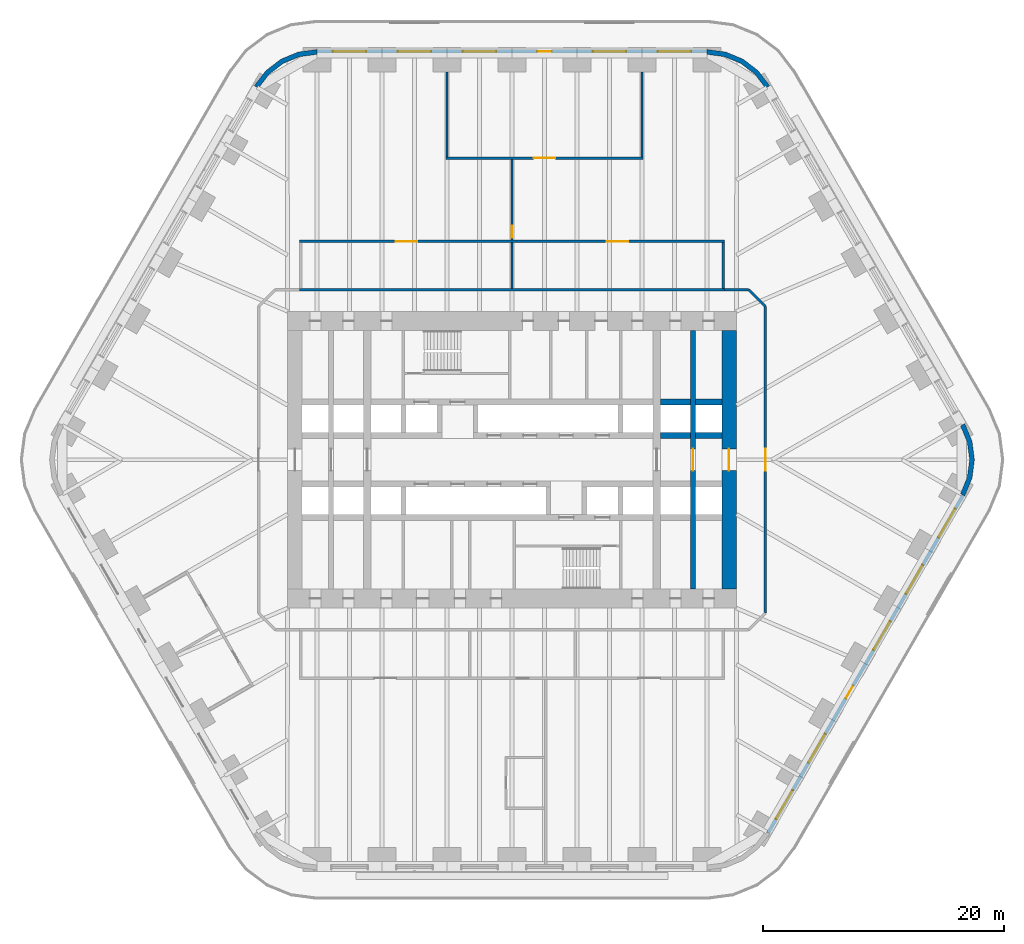
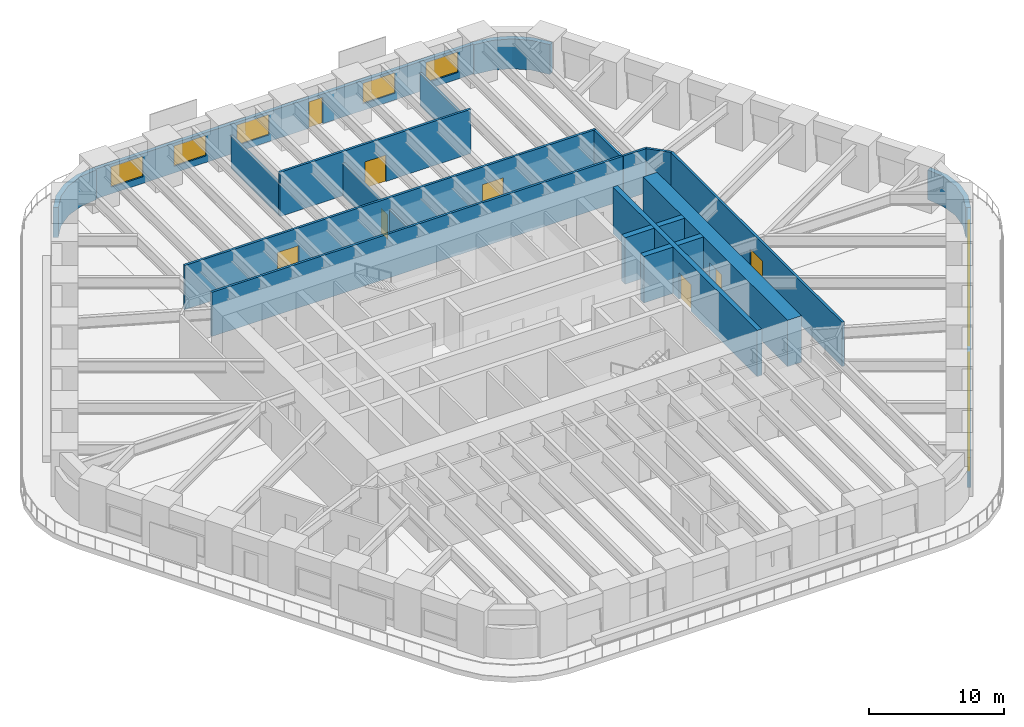
# One storey, part 19 of 23: 22 walls, 10 windows, 9 doors, 19 openings.
"""IFC4 building model written with IfcOpenShell, lengths in metres."""

from ifc_helpers import new_model, si_unit, direction, frame, frame_2d, origin, place, context, subcontext, project, spatial, polyline, rectangle, outline, extrude, material, layer, layer_set, type_object, element, fill, save


model = new_model("IFC4")

# Units and contexts
model_context = context("Model", 3, precision=1e-05, world=origin(), true_north=direction((0.0, 1.0)))
body_context = subcontext(model_context, "Body", "Model", "MODEL_VIEW")
ifc_project = project(units=[si_unit("LENGTHUNIT", "METRE"), si_unit("AREAUNIT", "SQUARE_METRE"), si_unit("VOLUMEUNIT", "CUBIC_METRE"), si_unit("PLANEANGLEUNIT", "RADIAN"), si_unit("MASSUNIT", "GRAM", prefix="KILO")], contexts=[model_context])

# Site, building, storey
site_placement = place(None, origin())
site = spatial("IfcSite", under=ifc_project, at=site_placement, CompositionType="ELEMENT")
building_placement = place(site_placement, origin())
building = spatial("IfcBuilding", under=site, at=building_placement, Name="Tarfa Lantern Tower", CompositionType="ELEMENT")
storey_placement = place(building_placement, frame((0.0, 0.0, 31.89990234375)))
storey = spatial("IfcBuildingStorey", under=building, at=storey_placement, Name="L06", CompositionType="ELEMENT", Elevation=31.89990234375)

# Wall, openings, door, windows
ifc_material_1 = material(Name="Limestone cladding on blockwork", Category="masonry")
ifc_layer_1 = layer(ifc_material_1, 0.300048828125)
ifc_layer_set_1 = layer_set([ifc_layer_1], Name="EW1 STONE-CLAD WALL 300")
wall_type_1 = type_object("IfcWallType", Name="EW1 STONE-CLAD WALL 300", PredefinedType="SOLIDWALL", material=ifc_layer_set_1)
wall_1_placement = place(storey_placement, frame((16.165771484375, 33.85009765625, 0.0), z_axis=(0.0, 0.0, 1.0), x_axis=(-1.0, 0.0, 0.0)))
wall_1 = element("IfcWall", 1, at=wall_1_placement, inside=storey, type_object=wall_type_1, Name="Stone wall N", PredefinedType="SOLIDWALL", context=body_context, shape_type="SweptSolid", body=[
    extrude(rectangle(XDim=32.33154296875, YDim=0.300048828125, at=frame_2d((16.165771484375, 0.0))), origin(), (0.0, 0.0, 1.0), 2.7001953125),
])
opening_1_placement = place(wall_1_placement, frame((1.3193359375, 0.0, 0.60009765625)))
opening_1 = element("IfcOpeningElement", 2, at=opening_1_placement, cuts=wall_1, Name="Opening W2", PredefinedType="OPENING", context=body_context, shape_type="SweptSolid", body=[
    extrude(rectangle(XDim=2.75, YDim=1.85009765625, at=frame_2d((1.375, 0.925048828125))), frame((0.0, 0.159912109375, 0.0), z_axis=(0.0, -1.0, 0.0), x_axis=(1.0, 0.0, 0.0)), (0.0, 0.0, 1.0), 0.320068359375),
])
opening_2_placement = place(wall_1_placement, frame((6.7080078125, 0.0, 0.60009765625)))
opening_2 = element("IfcOpeningElement", 3, at=opening_2_placement, cuts=wall_1, Name="Opening W2", PredefinedType="OPENING", context=body_context, shape_type="SweptSolid", body=[
    extrude(rectangle(XDim=2.75, YDim=1.85009765625, at=frame_2d((1.375, 0.925048828125))), frame((0.0, 0.159912109375, 0.0), z_axis=(0.0, -1.0, 0.0), x_axis=(1.0, 0.0, 0.0)), (0.0, 0.0, 1.0), 0.320068359375),
])
opening_3_placement = place(wall_1_placement, frame((12.87158203125, 0.0, 0.0)))
opening_3 = element("IfcOpeningElement", 4, at=opening_3_placement, cuts=wall_1, Name="Opening D41", PredefinedType="OPENING", context=body_context, shape_type="SweptSolid", body=[
    extrude(rectangle(XDim=1.199951171875, YDim=2.39990234375, at=frame_2d((0.60009765625, 1.199951171875))), frame((0.0, 0.159912109375, 0.0), z_axis=(0.0, -1.0, 0.0), x_axis=(1.0, 0.0, 0.0)), (0.0, 0.0, 1.0), 0.320068359375),
])
opening_4_placement = place(wall_1_placement, frame((17.485107421875, 0.0, 0.60009765625)))
opening_4 = element("IfcOpeningElement", 5, at=opening_4_placement, cuts=wall_1, Name="Opening W2", PredefinedType="OPENING", context=body_context, shape_type="SweptSolid", body=[
    extrude(rectangle(XDim=2.75, YDim=1.85009765625, at=frame_2d((1.375, 0.925048828125))), frame((0.0, 0.159912109375, 0.0), z_axis=(0.0, -1.0, 0.0), x_axis=(1.0, 0.0, 0.0)), (0.0, 0.0, 1.0), 0.320068359375),
])
opening_5_placement = place(wall_1_placement, frame((22.873779296875, 0.0, 0.60009765625)))
opening_5 = element("IfcOpeningElement", 6, at=opening_5_placement, cuts=wall_1, Name="Opening W2", PredefinedType="OPENING", context=body_context, shape_type="SweptSolid", body=[
    extrude(rectangle(XDim=2.75, YDim=1.85009765625, at=frame_2d((1.375, 0.925048828125))), frame((0.0, 0.159912109375, 0.0), z_axis=(0.0, -1.0, 0.0), x_axis=(1.0, 0.0, 0.0)), (0.0, 0.0, 1.0), 0.320068359375),
])
opening_6_placement = place(wall_1_placement, frame((28.26220703125, 0.0, 0.60009765625)))
opening_6 = element("IfcOpeningElement", 7, at=opening_6_placement, cuts=wall_1, Name="Opening W2", PredefinedType="OPENING", context=body_context, shape_type="SweptSolid", body=[
    extrude(rectangle(XDim=2.75, YDim=1.85009765625, at=frame_2d((1.375, 0.925048828125))), frame((0.0, 0.159912109375, 0.0), z_axis=(0.0, -1.0, 0.0), x_axis=(1.0, 0.0, 0.0)), (0.0, 0.0, 1.0), 0.320068359375),
])
ifc_material_2 = material(Name="Aluminium framed glazed door", Category="aluminium")
door_type_1 = type_object("IfcDoorType", Name="BE3 BALCONY DOOR 1200x2400", OperationType="SINGLE_SWING_RIGHT", PredefinedType="DOOR", material=ifc_material_2)
door_1_placement = place(opening_3_placement, origin())
door_1 = element("IfcDoor", 8, at=door_1_placement, inside=storey, type_object=door_type_1, Name="Balcony door N", OperationType="SINGLE_SWING_RIGHT", OverallHeight=2.39990234375, OverallWidth=1.199951171875, PredefinedType="DOOR", context=body_context, shape_type="SweptSolid", body=[
    extrude(rectangle(XDim=1.199951171875, YDim=2.39990234375, at=frame_2d((0.60009765625, 1.199951171875))), frame((0.0, 0.02490234375, 0.0), z_axis=(0.0, -1.0, 0.0), x_axis=(1.0, 0.0, 0.0)), (0.0, 0.0, 1.0), 0.050048828125),
])
fill(opening_3, door_1)
ifc_material_3 = material(Name="Aluminium frame, double glazed", Category="aluminium")
window_type = type_object("IfcWindowType", Name="W2 FULL-HEIGHT GLAZING 2750x1850", PartitioningType="SINGLE_PANEL", PredefinedType="WINDOW", material=ifc_material_3)
window_1_placement = place(opening_1_placement, origin())
window_1 = element("IfcWindow", 9, at=window_1_placement, inside=storey, type_object=window_type, Name="Window N 1", OverallHeight=1.85009765625, OverallWidth=2.75, PartitioningType="SINGLE_PANEL", PredefinedType="WINDOW", context=body_context, shape_type="SweptSolid", body=[
    extrude(rectangle(XDim=2.75, YDim=1.85009765625, at=frame_2d((1.375, 0.925048828125))), frame((0.0, 0.030029296875, 0.0), z_axis=(0.0, -1.0, 0.0), x_axis=(1.0, 0.0, 0.0)), (0.0, 0.0, 1.0), 0.06005859375),
])
fill(opening_1, window_1)
window_2_placement = place(opening_2_placement, origin())
window_2 = element("IfcWindow", 10, at=window_2_placement, inside=storey, type_object=window_type, Name="Window N 2", OverallHeight=1.85009765625, OverallWidth=2.75, PartitioningType="SINGLE_PANEL", PredefinedType="WINDOW", context=body_context, shape_type="SweptSolid", body=[
    extrude(rectangle(XDim=2.75, YDim=1.85009765625, at=frame_2d((1.375, 0.925048828125))), frame((0.0, 0.030029296875, 0.0), z_axis=(0.0, -1.0, 0.0), x_axis=(1.0, 0.0, 0.0)), (0.0, 0.0, 1.0), 0.06005859375),
])
fill(opening_2, window_2)
window_3_placement = place(opening_4_placement, origin())
window_3 = element("IfcWindow", 11, at=window_3_placement, inside=storey, type_object=window_type, Name="Window N 4", OverallHeight=1.85009765625, OverallWidth=2.75, PartitioningType="SINGLE_PANEL", PredefinedType="WINDOW", context=body_context, shape_type="SweptSolid", body=[
    extrude(rectangle(XDim=2.75, YDim=1.85009765625, at=frame_2d((1.375, 0.925048828125))), frame((0.0, 0.030029296875, 0.0), z_axis=(0.0, -1.0, 0.0), x_axis=(1.0, 0.0, 0.0)), (0.0, 0.0, 1.0), 0.06005859375),
])
fill(opening_4, window_3)
window_4_placement = place(opening_5_placement, origin())
window_4 = element("IfcWindow", 12, at=window_4_placement, inside=storey, type_object=window_type, Name="Window N 5", OverallHeight=1.85009765625, OverallWidth=2.75, PartitioningType="SINGLE_PANEL", PredefinedType="WINDOW", context=body_context, shape_type="SweptSolid", body=[
    extrude(rectangle(XDim=2.75, YDim=1.85009765625, at=frame_2d((1.375, 0.925048828125))), frame((0.0, 0.030029296875, 0.0), z_axis=(0.0, -1.0, 0.0), x_axis=(1.0, 0.0, 0.0)), (0.0, 0.0, 1.0), 0.06005859375),
])
fill(opening_5, window_4)
window_5_placement = place(opening_6_placement, origin())
window_5 = element("IfcWindow", 13, at=window_5_placement, inside=storey, type_object=window_type, Name="Window N 6", OverallHeight=1.85009765625, OverallWidth=2.75, PartitioningType="SINGLE_PANEL", PredefinedType="WINDOW", context=body_context, shape_type="SweptSolid", body=[
    extrude(rectangle(XDim=2.75, YDim=1.85009765625, at=frame_2d((1.375, 0.925048828125))), frame((0.0, 0.030029296875, 0.0), z_axis=(0.0, -1.0, 0.0), x_axis=(1.0, 0.0, 0.0)), (0.0, 0.0, 1.0), 0.06005859375),
])
fill(opening_6, window_5)

wall_2_placement = place(storey_placement, frame((21.232177734375, -30.925048828125, 0.0), z_axis=(0.0, 0.0, 1.0), x_axis=(0.499999163675, 0.866025886636, 0.0)))
wall_2 = element("IfcWall", 14, at=wall_2_placement, inside=storey, type_object=wall_type_1, Name="Stone wall SE", PredefinedType="SOLIDWALL", context=body_context, shape_type="SweptSolid", body=[
    extrude(rectangle(XDim=32.33154296875, YDim=0.300048828125, at=frame_2d((16.165771484375, 0.0))), origin(), (0.0, 0.0, 1.0), 2.7001953125),
])
opening_7_placement = place(wall_2_placement, frame((1.3193359375, 0.0, 0.60009765625)))
opening_7 = element("IfcOpeningElement", 15, at=opening_7_placement, cuts=wall_2, Name="Opening W2", PredefinedType="OPENING", context=body_context, shape_type="SweptSolid", body=[
    extrude(rectangle(XDim=2.75, YDim=1.85009765625, at=frame_2d((1.375, 0.925048828125))), frame((0.0, 0.159912109375, 0.0), z_axis=(0.0, -1.0, 0.0), x_axis=(1.0, 0.0, 0.0)), (0.0, 0.0, 1.0), 0.320068359375),
])
opening_8_placement = place(wall_2_placement, frame((6.7080078125, 0.0, 0.60009765625)))
opening_8 = element("IfcOpeningElement", 16, at=opening_8_placement, cuts=wall_2, Name="Opening W2", PredefinedType="OPENING", context=body_context, shape_type="SweptSolid", body=[
    extrude(rectangle(XDim=2.75, YDim=1.85009765625, at=frame_2d((1.375, 0.925048828125))), frame((0.0, 0.159912109375, 0.0), z_axis=(0.0, -1.0, 0.0), x_axis=(1.0, 0.0, 0.0)), (0.0, 0.0, 1.0), 0.320068359375),
])
opening_9_placement = place(wall_2_placement, frame((12.87158203125, 0.0, 0.0)))
opening_9 = element("IfcOpeningElement", 17, at=opening_9_placement, cuts=wall_2, Name="Opening D42", PredefinedType="OPENING", context=body_context, shape_type="SweptSolid", body=[
    extrude(rectangle(XDim=1.199951171875, YDim=2.39990234375, at=frame_2d((0.60009765625, 1.199951171875))), frame((0.0, 0.159912109375, 0.0), z_axis=(0.0, -1.0, 0.0), x_axis=(1.0, 0.0, 0.0)), (0.0, 0.0, 1.0), 0.320068359375),
])
opening_10_placement = place(wall_2_placement, frame((17.485107421875, 0.0, 0.60009765625)))
opening_10 = element("IfcOpeningElement", 18, at=opening_10_placement, cuts=wall_2, Name="Opening W2", PredefinedType="OPENING", context=body_context, shape_type="SweptSolid", body=[
    extrude(rectangle(XDim=2.75, YDim=1.85009765625, at=frame_2d((1.375, 0.925048828125))), frame((0.0, 0.159912109375, 0.0), z_axis=(0.0, -1.0, 0.0), x_axis=(1.0, 0.0, 0.0)), (0.0, 0.0, 1.0), 0.320068359375),
])
opening_11_placement = place(wall_2_placement, frame((22.873779296875, 0.0, 0.60009765625)))
opening_11 = element("IfcOpeningElement", 19, at=opening_11_placement, cuts=wall_2, Name="Opening W2", PredefinedType="OPENING", context=body_context, shape_type="SweptSolid", body=[
    extrude(rectangle(XDim=2.75, YDim=1.85009765625, at=frame_2d((1.375, 0.925048828125))), frame((0.0, 0.159912109375, 0.0), z_axis=(0.0, -1.0, 0.0), x_axis=(1.0, 0.0, 0.0)), (0.0, 0.0, 1.0), 0.320068359375),
])
opening_12_placement = place(wall_2_placement, frame((28.26220703125, 0.0, 0.60009765625)))
opening_12 = element("IfcOpeningElement", 20, at=opening_12_placement, cuts=wall_2, Name="Opening W2", PredefinedType="OPENING", context=body_context, shape_type="SweptSolid", body=[
    extrude(rectangle(XDim=2.75, YDim=1.85009765625, at=frame_2d((1.375, 0.925048828125))), frame((0.0, 0.159912109375, 0.0), z_axis=(0.0, -1.0, 0.0), x_axis=(1.0, 0.0, 0.0)), (0.0, 0.0, 1.0), 0.320068359375),
])
door_2_placement = place(opening_9_placement, origin())
door_2 = element("IfcDoor", 21, at=door_2_placement, inside=storey, type_object=door_type_1, Name="Balcony door SE", OperationType="SINGLE_SWING_RIGHT", OverallHeight=2.39990234375, OverallWidth=1.199951171875, PredefinedType="DOOR", context=body_context, shape_type="SweptSolid", body=[
    extrude(rectangle(XDim=1.199951171875, YDim=2.39990234375, at=frame_2d((0.60009765625, 1.199951171875))), frame((0.0, 0.02490234375, 0.0), z_axis=(0.0, -1.0, 0.0), x_axis=(1.0, 0.0, 0.0)), (0.0, 0.0, 1.0), 0.050048828125),
])
fill(opening_9, door_2)
window_6_placement = place(opening_7_placement, origin())
window_6 = element("IfcWindow", 22, at=window_6_placement, inside=storey, type_object=window_type, Name="Window SE 1", OverallHeight=1.85009765625, OverallWidth=2.75, PartitioningType="SINGLE_PANEL", PredefinedType="WINDOW", context=body_context, shape_type="SweptSolid", body=[
    extrude(rectangle(XDim=2.75, YDim=1.85009765625, at=frame_2d((1.375, 0.925048828125))), frame((0.0, 0.030029296875, 0.0), z_axis=(0.0, -1.0, 0.0), x_axis=(1.0, 0.0, 0.0)), (0.0, 0.0, 1.0), 0.06005859375),
])
fill(opening_7, window_6)
window_7_placement = place(opening_8_placement, origin())
window_7 = element("IfcWindow", 23, at=window_7_placement, inside=storey, type_object=window_type, Name="Window SE 2", OverallHeight=1.85009765625, OverallWidth=2.75, PartitioningType="SINGLE_PANEL", PredefinedType="WINDOW", context=body_context, shape_type="SweptSolid", body=[
    extrude(rectangle(XDim=2.75, YDim=1.85009765625, at=frame_2d((1.375, 0.925048828125))), frame((0.0, 0.030029296875, 0.0), z_axis=(0.0, -1.0, 0.0), x_axis=(1.0, 0.0, 0.0)), (0.0, 0.0, 1.0), 0.06005859375),
])
fill(opening_8, window_7)
window_8_placement = place(opening_10_placement, origin())
window_8 = element("IfcWindow", 24, at=window_8_placement, inside=storey, type_object=window_type, Name="Window SE 4", OverallHeight=1.85009765625, OverallWidth=2.75, PartitioningType="SINGLE_PANEL", PredefinedType="WINDOW", context=body_context, shape_type="SweptSolid", body=[
    extrude(rectangle(XDim=2.75, YDim=1.85009765625, at=frame_2d((1.375, 0.925048828125))), frame((0.0, 0.030029296875, 0.0), z_axis=(0.0, -1.0, 0.0), x_axis=(1.0, 0.0, 0.0)), (0.0, 0.0, 1.0), 0.06005859375),
])
fill(opening_10, window_8)
window_9_placement = place(opening_11_placement, origin())
window_9 = element("IfcWindow", 25, at=window_9_placement, inside=storey, type_object=window_type, Name="Window SE 5", OverallHeight=1.85009765625, OverallWidth=2.75, PartitioningType="SINGLE_PANEL", PredefinedType="WINDOW", context=body_context, shape_type="SweptSolid", body=[
    extrude(rectangle(XDim=2.75, YDim=1.85009765625, at=frame_2d((1.375, 0.925048828125))), frame((0.0, 0.030029296875, 0.0), z_axis=(0.0, -1.0, 0.0), x_axis=(1.0, 0.0, 0.0)), (0.0, 0.0, 1.0), 0.06005859375),
])
fill(opening_11, window_9)
window_10_placement = place(opening_12_placement, origin())
window_10 = element("IfcWindow", 26, at=window_10_placement, inside=storey, type_object=window_type, Name="Window SE 6", OverallHeight=1.85009765625, OverallWidth=2.75, PartitioningType="SINGLE_PANEL", PredefinedType="WINDOW", context=body_context, shape_type="SweptSolid", body=[
    extrude(rectangle(XDim=2.75, YDim=1.85009765625, at=frame_2d((1.375, 0.925048828125))), frame((0.0, 0.030029296875, 0.0), z_axis=(0.0, -1.0, 0.0), x_axis=(1.0, 0.0, 0.0)), (0.0, 0.0, 1.0), 0.06005859375),
])
fill(opening_12, window_10)

# Walls
ifc_layer_2 = layer(ifc_material_1, 0.39990234375)
ifc_layer_set_2 = layer_set([ifc_layer_2], Name="EW2 CURVED STONE CORNER 400")
wall_type_2 = type_object("IfcWallType", Name="EW2 CURVED STONE CORNER 400", PredefinedType="SOLIDWALL", material=ifc_layer_set_2)
wall_3_placement = place(storey_placement, origin())
element("IfcWall", 27, at=wall_3_placement, inside=storey, type_object=wall_type_2, Name="Stone corner NE-N", PredefinedType="SOLIDWALL", context=body_context, shape_type="SweptSolid", body=[
    extrude(outline(polyline([(21.362060546875, 31.0), (20.408447265625, 32.24267578125), (19.165771484375, 33.196044921875), (17.71875, 33.795654296875), (16.165771484375, 34.0), (16.165771484375, 33.60009765625), (17.615234375, 33.4091796875), (18.9658203125, 32.849853515625), (20.12548828125, 31.959716796875), (21.015625, 30.800048828125), (21.362060546875, 31.0)])), origin(), (0.0, 0.0, 1.0), 2.7001953125),
])
wall_4_placement = place(storey_placement, origin())
element("IfcWall", 28, at=wall_4_placement, inside=storey, type_object=wall_type_2, Name="Stone corner N-NW", PredefinedType="SOLIDWALL", context=body_context, shape_type="SweptSolid", body=[
    extrude(outline(polyline([(-16.165771484375, 34.0), (-17.71875, 33.795654296875), (-19.165771484375, 33.196044921875), (-20.408447265625, 32.24267578125), (-21.362060546875, 31.0), (-21.015625, 30.800048828125), (-20.12548828125, 31.959716796875), (-18.9658203125, 32.849853515625), (-17.615234375, 33.4091796875), (-16.165771484375, 33.60009765625), (-16.165771484375, 34.0)])), origin(), (0.0, 0.0, 1.0), 2.7001953125),
])
wall_5_placement = place(storey_placement, origin())
element("IfcWall", 29, at=wall_5_placement, inside=storey, type_object=wall_type_2, Name="Stone corner SE-NE", PredefinedType="SOLIDWALL", context=body_context, shape_type="SweptSolid", body=[
    extrude(outline(polyline([(37.52783203125, -3.0), (38.127197265625, -1.552978515625), (38.33154296875, 0.0), (38.127197265625, 1.552978515625), (37.52783203125, 3.0), (37.181396484375, 2.800048828125), (37.74072265625, 1.449462890625), (37.931640625, 0.0), (37.74072265625, -1.449462890625), (37.181396484375, -2.800048828125), (37.52783203125, -3.0)])), origin(), (0.0, 0.0, 1.0), 2.7001953125),
])
ifc_material_4 = material(Name="Gypsum board on steel studs", Category="steel")
ifc_layer_3 = layer(ifc_material_4, 0.2099609375)
ifc_layer_set_3 = layer_set([ifc_layer_3], Name="IW2 ACOUSTIC PARTITION 200")
wall_type_3 = type_object("IfcWallType", Name="IW2 ACOUSTIC PARTITION 200", PredefinedType="PARTITIONING", material=ifc_layer_set_3)
wall_6_placement = place(storey_placement, frame((-17.60009765625, 14.10009765625, 0.0), z_axis=(0.0, 0.0, 1.0), x_axis=(1.0, 0.0, 0.0)))
element("IfcWall", 30, at=wall_6_placement, inside=storey, type_object=wall_type_3, Name="Partition", PredefinedType="PARTITIONING", context=body_context, shape_type="SweptSolid", body=[
    extrude(rectangle(XDim=35.2001953125, YDim=0.199951171875, at=frame_2d((17.60009765625, 0.0))), origin(), (0.0, 0.0, 1.0), 4.0),
])

# Wall, openings, doors
wall_7_placement = place(storey_placement, frame((-17.60009765625, 18.10009765625, 0.0), z_axis=(0.0, 0.0, 1.0), x_axis=(1.0, 0.0, 0.0)))
wall_7 = element("IfcWall", 31, at=wall_7_placement, inside=storey, type_object=wall_type_3, Name="Partition", PredefinedType="PARTITIONING", context=body_context, shape_type="SweptSolid", body=[
    extrude(rectangle(XDim=35.2001953125, YDim=0.199951171875, at=frame_2d((17.60009765625, 0.0))), origin(), (0.0, 0.0, 1.0), 4.0),
])
opening_13_placement = place(wall_7_placement, frame((7.949951171875, 0.0, 0.0)))
opening_13 = element("IfcOpeningElement", 32, at=opening_13_placement, cuts=wall_7, Name="Opening D32", PredefinedType="OPENING", context=body_context, shape_type="SweptSolid", body=[
    extrude(rectangle(XDim=1.800048828125, YDim=2.39990234375, at=frame_2d((0.89990234375, 1.199951171875))), frame((0.0, 0.10986328125, 0.0), z_axis=(0.0, -1.0, 0.0), x_axis=(1.0, 0.0, 0.0)), (0.0, 0.0, 1.0), 0.219970703125),
])
opening_14_placement = place(wall_7_placement, frame((25.449951171875, 0.0, 0.0)))
opening_14 = element("IfcOpeningElement", 33, at=opening_14_placement, cuts=wall_7, Name="Opening D33", PredefinedType="OPENING", context=body_context, shape_type="SweptSolid", body=[
    extrude(rectangle(XDim=1.800048828125, YDim=2.39990234375, at=frame_2d((0.89990234375, 1.199951171875))), frame((0.0, 0.10986328125, 0.0), z_axis=(0.0, -1.0, 0.0), x_axis=(1.0, 0.0, 0.0)), (0.0, 0.0, 1.0), 0.219970703125),
])
ifc_material_5 = material(Name="Timber door", Category="wood")
door_type_2 = type_object("IfcDoorType", Name="DR2 ROOM DOOR 1800x2400", OperationType="DOUBLE_DOOR_SINGLE_SWING", PredefinedType="DOOR", material=ifc_material_5)
door_3_placement = place(opening_13_placement, frame((1.800048828125, 0.0, 0.0), z_axis=(0.0, 0.0, 1.0), x_axis=(-1.0, 0.0, 0.0)))
door_3 = element("IfcDoor", 34, at=door_3_placement, inside=storey, type_object=door_type_2, Name="Meeting room door", OperationType="DOUBLE_DOOR_SINGLE_SWING", OverallHeight=2.39990234375, OverallWidth=1.800048828125, PredefinedType="DOOR", context=body_context, shape_type="SweptSolid", body=[
    extrude(rectangle(XDim=1.800048828125, YDim=2.39990234375, at=frame_2d((0.89990234375, 1.199951171875))), frame((0.0, 0.02490234375, 0.0), z_axis=(0.0, -1.0, 0.0), x_axis=(1.0, 0.0, 0.0)), (0.0, 0.0, 1.0), 0.050048828125),
])
fill(opening_13, door_3)
door_4_placement = place(opening_14_placement, frame((1.800048828125, 0.0, 0.0), z_axis=(0.0, 0.0, 1.0), x_axis=(-1.0, 0.0, 0.0)))
door_4 = element("IfcDoor", 35, at=door_4_placement, inside=storey, type_object=door_type_2, Name="Shift office door", OperationType="DOUBLE_DOOR_SINGLE_SWING", OverallHeight=2.39990234375, OverallWidth=1.800048828125, PredefinedType="DOOR", context=body_context, shape_type="SweptSolid", body=[
    extrude(rectangle(XDim=1.800048828125, YDim=2.39990234375, at=frame_2d((0.89990234375, 1.199951171875))), frame((0.0, 0.02490234375, 0.0), z_axis=(0.0, -1.0, 0.0), x_axis=(1.0, 0.0, 0.0)), (0.0, 0.0, 1.0), 0.050048828125),
])
fill(opening_14, door_4)

# Walls
wall_8_placement = place(storey_placement, frame((0.0, 14.199951171875, 0.0), z_axis=(0.0, 0.0, 1.0), x_axis=(0.0, 1.0, 0.0)))
element("IfcWall", 36, at=wall_8_placement, inside=storey, type_object=wall_type_3, Name="Partition", PredefinedType="PARTITIONING", context=body_context, shape_type="SweptSolid", body=[
    extrude(rectangle(XDim=3.800048828125, YDim=0.199951171875, at=frame_2d((1.89990234375, 0.0))), origin(), (0.0, 0.0, 1.0), 2.944091796875),
])
wall_9_placement = place(storey_placement, frame((17.5, 14.199951171875, 0.0), z_axis=(0.0, 0.0, 1.0), x_axis=(0.0, 1.0, 0.0)))
element("IfcWall", 37, at=wall_9_placement, inside=storey, type_object=wall_type_3, Name="Partition", PredefinedType="PARTITIONING", context=body_context, shape_type="SweptSolid", body=[
    extrude(rectangle(XDim=3.800048828125, YDim=0.199951171875, at=frame_2d((1.89990234375, 0.0))), origin(), (0.0, 0.0, 1.0), 4.0),
])

# Wall, opening, door
wall_10_placement = place(storey_placement, frame((10.877197265625, 25.0, 0.0), z_axis=(0.0, 0.0, 1.0), x_axis=(-1.0, 0.0, 0.0)))
wall_10 = element("IfcWall", 38, at=wall_10_placement, inside=storey, type_object=wall_type_3, Name="Partition", PredefinedType="PARTITIONING", context=body_context, shape_type="SweptSolid", body=[
    extrude(rectangle(XDim=16.36572265625, YDim=0.199951171875, at=frame_2d((8.182861328125, 0.0))), origin(), (0.0, 0.0, 1.0), 4.0),
])
opening_15_placement = place(wall_10_placement, frame((7.282958984375, 0.0, 0.0)))
opening_15 = element("IfcOpeningElement", 39, at=opening_15_placement, cuts=wall_10, Name="Opening D29", PredefinedType="OPENING", context=body_context, shape_type="SweptSolid", body=[
    extrude(rectangle(XDim=1.800048828125, YDim=2.39990234375, at=frame_2d((0.89990234375, 1.199951171875))), frame((0.0, 0.10986328125, 0.0), z_axis=(0.0, -1.0, 0.0), x_axis=(1.0, 0.0, 0.0)), (0.0, 0.0, 1.0), 0.219970703125),
])
door_5_placement = place(opening_15_placement, frame((1.800048828125, 0.0, 0.0), z_axis=(0.0, 0.0, 1.0), x_axis=(-1.0, 0.0, 0.0)))
door_5 = element("IfcDoor", 40, at=door_5_placement, inside=storey, type_object=door_type_2, Name="Operations control room door", OperationType="DOUBLE_DOOR_SINGLE_SWING", OverallHeight=2.39990234375, OverallWidth=1.800048828125, PredefinedType="DOOR", context=body_context, shape_type="SweptSolid", body=[
    extrude(rectangle(XDim=1.800048828125, YDim=2.39990234375, at=frame_2d((0.89990234375, 1.199951171875))), frame((0.0, 0.02490234375, 0.0), z_axis=(0.0, -1.0, 0.0), x_axis=(1.0, 0.0, 0.0)), (0.0, 0.0, 1.0), 0.050048828125),
])
fill(opening_15, door_5)

# Walls
for number, where, z_axis, x_axis, name in (
    (41, (10.777099609375, 25.10009765625, 0.0), (0.0, 0.0, 1.0), (0.0, 1.0, 0.0), "Partition"),
    (42, (-5.388671875, 25.10009765625, 0.0), (0.0, 0.0, 1.0), (0.0, 1.0, 0.0), "Partition"),
):
    element("IfcWall", number, at=place(storey_placement, frame(where, z_axis=z_axis, x_axis=x_axis)), inside=storey, type_object=wall_type_3, Name=name, PredefinedType="PARTITIONING", context=body_context, shape_type="SweptSolid", body=[
        extrude(rectangle(XDim=7.0498046875, YDim=0.199951171875, at=frame_2d((3.52490234375, 0.0))), origin(), (0.0, 0.0, 1.0), 2.944091796875),
    ])
wall_11_placement = place(storey_placement, frame((17.60009765625, 14.10009765625, 0.0), z_axis=(0.0, 0.0, 1.0), x_axis=(1.0, 0.0, 0.0)))
element("IfcWall", 43, at=wall_11_placement, inside=storey, type_object=wall_type_3, Name="Partition", PredefinedType="PARTITIONING", context=body_context, shape_type="SweptSolid", body=[
    extrude(rectangle(XDim=2.0, YDim=0.199951171875, at=frame_2d((1.0, 0.0))), origin(), (0.0, 0.0, 1.0), 4.0),
])
wall_12_placement = place(storey_placement, frame((19.60009765625, 14.10009765625, 0.0), z_axis=(0.0, 0.0, 1.0), x_axis=(0.707045124756, -0.707168432242, 0.0)))
element("IfcWall", 44, at=wall_12_placement, inside=storey, type_object=wall_type_3, Name="Partition", PredefinedType="PARTITIONING", context=body_context, shape_type="SweptSolid", body=[
    extrude(rectangle(XDim=1.97998046875, YDim=0.199951171875, at=frame_2d((0.989990234375, 0.0))), origin(), (0.0, 0.0, 1.0), 4.0),
])

# Wall, opening, door
wall_13_placement = place(storey_placement, frame((21.0, 12.699951171875, 0.0), z_axis=(0.0, 0.0, 1.0), x_axis=(0.0, -1.0, 0.0)))
wall_13 = element("IfcWall", 45, at=wall_13_placement, inside=storey, type_object=wall_type_3, Name="Partition", PredefinedType="PARTITIONING", context=body_context, shape_type="SweptSolid", body=[
    extrude(rectangle(XDim=25.39990234375, YDim=0.199951171875, at=frame_2d((12.699951171875, 0.0))), origin(), (0.0, 0.0, 1.0), 4.0),
])
opening_16_placement = place(wall_13_placement, frame((11.800048828125, 0.0, 0.0)))
opening_16 = element("IfcOpeningElement", 46, at=opening_16_placement, cuts=wall_13, Name="Opening D38", PredefinedType="OPENING", context=body_context, shape_type="SweptSolid", body=[
    extrude(rectangle(XDim=1.800048828125, YDim=2.39990234375, at=frame_2d((0.89990234375, 1.199951171875))), frame((0.0, 0.10986328125, 0.0), z_axis=(0.0, -1.0, 0.0), x_axis=(1.0, 0.0, 0.0)), (0.0, 0.0, 1.0), 0.219970703125),
])
door_6_placement = place(opening_16_placement, origin())
door_6 = element("IfcDoor", 47, at=door_6_placement, inside=storey, type_object=door_type_2, Name="Corridor door", OperationType="DOUBLE_DOOR_SINGLE_SWING", OverallHeight=2.39990234375, OverallWidth=1.800048828125, PredefinedType="DOOR", context=body_context, shape_type="SweptSolid", body=[
    extrude(rectangle(XDim=1.800048828125, YDim=2.39990234375, at=frame_2d((0.89990234375, 1.199951171875))), frame((0.0, 0.02490234375, 0.0), z_axis=(0.0, -1.0, 0.0), x_axis=(1.0, 0.0, 0.0)), (0.0, 0.0, 1.0), 0.050048828125),
])
fill(opening_16, door_6)

wall_14_placement = place(storey_placement, frame((0.0, 18.199951171875, 0.0), z_axis=(0.0, 0.0, 1.0), x_axis=(0.0, 1.0, 0.0)))
wall_14 = element("IfcWall", 48, at=wall_14_placement, inside=storey, type_object=wall_type_3, Name="Partition", PredefinedType="PARTITIONING", context=body_context, shape_type="SweptSolid", body=[
    extrude(rectangle(XDim=6.699951171875, YDim=0.199951171875, at=frame_2d((3.35009765625, 0.0))), origin(), (0.0, 0.0, 1.0), 2.944091796875),
])
opening_17_placement = place(wall_14_placement, frame((0.199951171875, 0.0, 0.0)))
opening_17 = element("IfcOpeningElement", 49, at=opening_17_placement, cuts=wall_14, Name="Opening D40", PredefinedType="OPENING", context=body_context, shape_type="SweptSolid", body=[
    extrude(rectangle(XDim=1.0, YDim=2.199951171875, at=frame_2d((0.5, 1.10009765625))), frame((0.0, 0.10986328125, 0.0), z_axis=(0.0, -1.0, 0.0), x_axis=(1.0, 0.0, 0.0)), (0.0, 0.0, 1.0), 0.219970703125),
])
door_type_3 = type_object("IfcDoorType", Name="DR1 ROOM DOOR 1000x2200", OperationType="SINGLE_SWING_LEFT", PredefinedType="DOOR", material=ifc_material_5)
door_7_placement = place(opening_17_placement, frame((1.0, 0.0, 0.0), z_axis=(0.0, 0.0, 1.0), x_axis=(-1.0, 0.0, 0.0)))
door_7 = element("IfcDoor", 50, at=door_7_placement, inside=storey, type_object=door_type_3, Name="Zone door", OperationType="SINGLE_SWING_LEFT", OverallHeight=2.199951171875, OverallWidth=1.0, PredefinedType="DOOR", context=body_context, shape_type="SweptSolid", body=[
    extrude(rectangle(XDim=1.0, YDim=2.199951171875, at=frame_2d((0.5, 1.10009765625))), frame((0.0, 0.02490234375, 0.0), z_axis=(0.0, -1.0, 0.0), x_axis=(1.0, 0.0, 0.0)), (0.0, 0.0, 1.0), 0.050048828125),
])
fill(opening_17, door_7)

ifc_material_6 = material(Name="Concrete C80/95", Category="concrete")
ifc_layer_4 = layer(ifc_material_6, 1.199951171875)
ifc_layer_set_4 = layer_set([ifc_layer_4], Name="SW1 CORE WALL 1200")
wall_type_4 = type_object("IfcWallType", Name="SW1 CORE WALL 1200", PredefinedType="SHEAR", material=ifc_layer_set_4)
wall_15_placement = place(storey_placement, frame((18.0, -10.699951171875, 0.0), z_axis=(0.0, 0.0, 1.0), x_axis=(0.0, 1.0, 0.0)))
wall_15 = element("IfcWall", 51, at=wall_15_placement, inside=storey, type_object=wall_type_4, Name="Core wall E", PredefinedType="SHEAR", context=body_context, shape_type="SweptSolid", body=[
    extrude(rectangle(XDim=21.39990234375, YDim=1.199951171875, at=frame_2d((10.699951171875, 0.0))), origin(), (0.0, 0.0, 1.0), 4.2001953125),
])
opening_18_placement = place(wall_15_placement, frame((9.800048828125, 0.0, 0.0)))
opening_18 = element("IfcOpeningElement", 52, at=opening_18_placement, cuts=wall_15, Name="Opening D15", PredefinedType="OPENING", context=body_context, shape_type="SweptSolid", body=[
    extrude(rectangle(XDim=1.800048828125, YDim=2.39990234375, at=frame_2d((0.89990234375, 1.199951171875))), frame((0.0, 0.60986328125, 0.0), z_axis=(0.0, -1.0, 0.0), x_axis=(1.0, 0.0, 0.0)), (0.0, 0.0, 1.0), 1.219970703125),
])
ifc_material_7 = material(Name="Steel fire door", Category="steel")
door_type_4 = type_object("IfcDoorType", Name="DL1 LOBBY DOOR 1800x2400", OperationType="DOUBLE_DOOR_SINGLE_SWING", PredefinedType="DOOR", material=ifc_material_7)
door_8_placement = place(opening_18_placement, frame((1.800048828125, 0.0, 0.0), z_axis=(0.0, 0.0, 1.0), x_axis=(-1.0, 0.0, 0.0)))
door_8 = element("IfcDoor", 53, at=door_8_placement, inside=storey, type_object=door_type_4, Name="Lift lobby door", OperationType="DOUBLE_DOOR_SINGLE_SWING", OverallHeight=2.39990234375, OverallWidth=1.800048828125, PredefinedType="DOOR", context=body_context, shape_type="SweptSolid", body=[
    extrude(rectangle(XDim=1.800048828125, YDim=2.39990234375, at=frame_2d((0.89990234375, 1.199951171875))), frame((0.0, 0.02490234375, 0.0), z_axis=(0.0, -1.0, 0.0), x_axis=(1.0, 0.0, 0.0)), (0.0, 0.0, 1.0), 0.050048828125),
])
fill(opening_18, door_8)

# Walls
ifc_layer_5 = layer(ifc_material_6, 0.5)
ifc_layer_set_5 = layer_set([ifc_layer_5], Name="SW5 CORE WALL 500")
wall_type_5 = type_object("IfcWallType", Name="SW5 CORE WALL 500", PredefinedType="SHEAR", material=ifc_layer_set_5)
wall_16_placement = place(storey_placement, frame((12.300048828125, 2.0, 0.0), z_axis=(0.0, 0.0, 1.0), x_axis=(1.0, 0.0, 0.0)))
element("IfcWall", 54, at=wall_16_placement, inside=storey, type_object=wall_type_5, Name="Core wall lobby east N", PredefinedType="SHEAR", context=body_context, shape_type="SweptSolid", body=[
    extrude(rectangle(XDim=2.5, YDim=0.5, at=frame_2d((1.25, 0.0))), origin(), (0.0, 0.0, 1.0), 4.2001953125),
])
wall_17_placement = place(storey_placement, frame((15.199951171875, 2.0, 0.0), z_axis=(0.0, 0.0, 1.0), x_axis=(1.0, 0.0, 0.0)))
element("IfcWall", 55, at=wall_17_placement, inside=storey, type_object=wall_type_5, Name="Core wall lobby east N", PredefinedType="SHEAR", context=body_context, shape_type="SweptSolid", body=[
    extrude(rectangle(XDim=2.199951171875, YDim=0.5, at=frame_2d((1.10009765625, 0.0))), origin(), (0.0, 0.0, 1.0), 4.2001953125),
])
wall_18_placement = place(storey_placement, frame((12.300048828125, 4.800048828125, 0.0), z_axis=(0.0, 0.0, 1.0), x_axis=(1.0, 0.0, 0.0)))
element("IfcWall", 56, at=wall_18_placement, inside=storey, type_object=wall_type_5, Name="Core wall rear N", PredefinedType="SHEAR", context=body_context, shape_type="SweptSolid", body=[
    extrude(rectangle(XDim=2.5, YDim=0.5, at=frame_2d((1.25, 0.0))), origin(), (0.0, 0.0, 1.0), 4.2001953125),
])
wall_19_placement = place(storey_placement, frame((15.199951171875, 4.800048828125, 0.0), z_axis=(0.0, 0.0, 1.0), x_axis=(1.0, 0.0, 0.0)))
element("IfcWall", 57, at=wall_19_placement, inside=storey, type_object=wall_type_5, Name="Core wall rear N", PredefinedType="SHEAR", context=body_context, shape_type="SweptSolid", body=[
    extrude(rectangle(XDim=2.199951171875, YDim=0.5, at=frame_2d((1.10009765625, 0.0))), origin(), (0.0, 0.0, 1.0), 4.2001953125),
])

# Wall, opening, door
ifc_layer_6 = layer(ifc_material_6, 0.39990234375)
ifc_layer_set_6 = layer_set([ifc_layer_6], Name="SW6 CORE WALL 400")
wall_type_6 = type_object("IfcWallType", Name="SW6 CORE WALL 400", PredefinedType="SHEAR", material=ifc_layer_set_6)
wall_20_placement = place(storey_placement, frame((15.0, -10.699951171875, 0.0), z_axis=(0.0, 0.0, 1.0), x_axis=(0.0, 1.0, 0.0)))
wall_20 = element("IfcWall", 58, at=wall_20_placement, inside=storey, type_object=wall_type_6, Name="Core wall cross 15 m east", PredefinedType="SHEAR", context=body_context, shape_type="SweptSolid", body=[
    extrude(rectangle(XDim=21.39990234375, YDim=0.39990234375, at=frame_2d((10.699951171875, 0.0))), origin(), (0.0, 0.0, 1.0), 4.2001953125),
])
opening_19_placement = place(wall_20_placement, frame((9.800048828125, 0.0, 0.0)))
opening_19 = element("IfcOpeningElement", 59, at=opening_19_placement, cuts=wall_20, Name="Opening D26", PredefinedType="OPENING", context=body_context, shape_type="SweptSolid", body=[
    extrude(rectangle(XDim=1.800048828125, YDim=2.39990234375, at=frame_2d((0.89990234375, 1.199951171875))), frame((0.0, 0.2099609375, 0.0), z_axis=(0.0, -1.0, 0.0), x_axis=(1.0, 0.0, 0.0)), (0.0, 0.0, 1.0), 0.419921875),
])
door_9_placement = place(opening_19_placement, origin())
door_9 = element("IfcDoor", 60, at=door_9_placement, inside=storey, type_object=door_type_4, Name="Lift lobby door", OperationType="DOUBLE_DOOR_SINGLE_SWING", OverallHeight=2.39990234375, OverallWidth=1.800048828125, PredefinedType="DOOR", context=body_context, shape_type="SweptSolid", body=[
    extrude(rectangle(XDim=1.800048828125, YDim=2.39990234375, at=frame_2d((0.89990234375, 1.199951171875))), frame((0.0, 0.02490234375, 0.0), z_axis=(0.0, -1.0, 0.0), x_axis=(1.0, 0.0, 0.0)), (0.0, 0.0, 1.0), 0.050048828125),
])
fill(opening_19, door_9)

save(model, "model.ifc")
